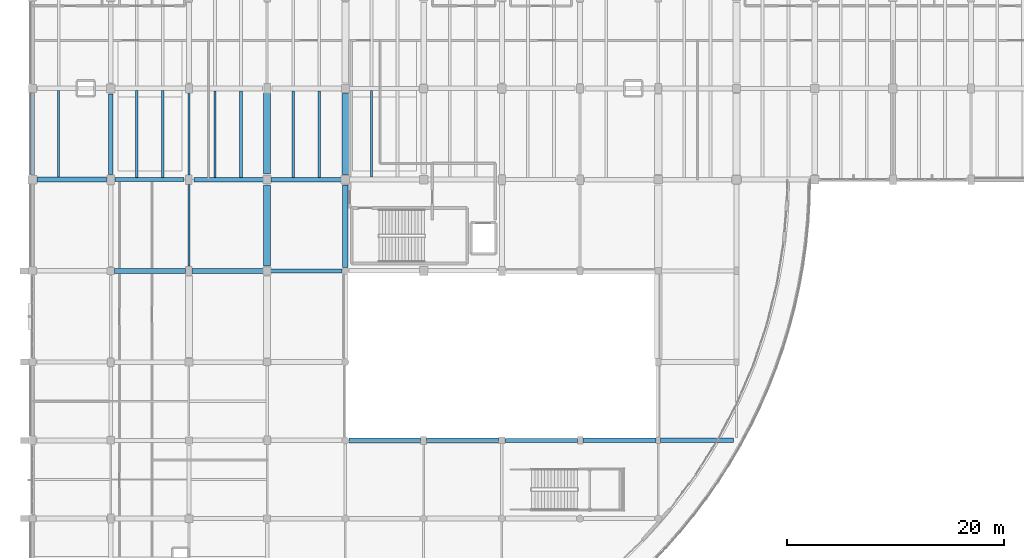
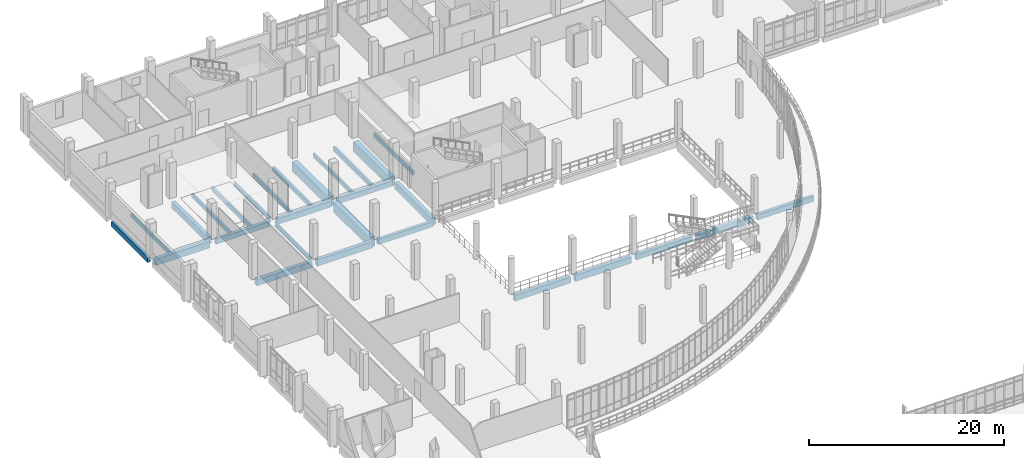
# One storey, part 60 of 124: 28 beams.
"""IFC4 building model written with IfcOpenShell, lengths in metres."""

from ifc_helpers import new_model, si_unit, direction, frame, origin, origin_2d, place, context, subcontext, project, spatial, rectangle, i_section, extrude, material, material_profile, profile_set, type_object, element, save


model = new_model("IFC4")

# Units and contexts
model_context = context("Model", 3, precision=1e-05, world=origin(), true_north=direction((0.0, 1.0)))
body_context = subcontext(model_context, "Body", "Model", "MODEL_VIEW")
ifc_project = project(units=[si_unit("LENGTHUNIT", "METRE"), si_unit("AREAUNIT", "SQUARE_METRE"), si_unit("VOLUMEUNIT", "CUBIC_METRE"), si_unit("PLANEANGLEUNIT", "RADIAN"), si_unit("MASSUNIT", "GRAM", prefix="KILO")], contexts=[model_context])

# Site, building, storey
site_placement = place(None, origin())
site = spatial("IfcSite", under=ifc_project, at=site_placement, CompositionType="ELEMENT")
building_placement = place(site_placement, origin())
building = spatial("IfcBuilding", under=site, at=building_placement, Name="Kalluvel Institute of Natural Sciences", CompositionType="ELEMENT")
storey_placement = place(building_placement, frame((0.0, 0.0, 9.89990234375)))
storey = spatial("IfcBuildingStorey", under=building, at=storey_placement, Name="L02", CompositionType="ELEMENT", Elevation=9.89990234375)

# Beams
ifc_material_1 = material(Name="Steel E350 Grade 350", Category="steel")
ifc_material_profile_1 = material_profile(ifc_material_1, i_section(OverallWidth=0.18994140625, OverallDepth=0.550048828125, WebThickness=0.01123046875, FlangeThickness=0.019287109375, FilletRadius=0.01806640625, at=origin_2d()), Name="ISMB 550")
ifc_profile_set_1 = profile_set([ifc_material_profile_1], Name="Steel E350 Grade 350")
beam_type_1 = type_object("IfcBeamType", Name="BM-ISMB550", PredefinedType="BEAM", material=ifc_profile_set_1)
beam_1_placement = place(storey_placement, frame((28.39990234375, 94.85009765625, -0.574951171875), z_axis=(0.0, 1.0, 0.0), x_axis=(-1.0, 0.0, 0.0)))
element("IfcBeam", 1, at=beam_1_placement, inside=storey, type_object=beam_type_1, Name="L02 girder GIR-L02-NS-X284-Y944", PredefinedType="BEAM", context=body_context, shape_type="SweptSolid", body=[
    extrude(i_section(OverallWidth=0.18994140625, OverallDepth=0.550048828125, WebThickness=0.01123046875, FlangeThickness=0.019287109375, FilletRadius=0.01806640625, at=origin_2d()), origin(), (0.0, 0.0, 1.0), 7.5),
])
beam_2_placement = place(storey_placement, frame((28.39990234375, 103.25, -0.594970703125), z_axis=(0.0, 1.0, 0.0), x_axis=(-1.0, 0.0, 0.0)))
element("IfcBeam", 2, at=beam_2_placement, inside=storey, type_object=beam_type_1, Name="L02 girder GIR-L02-NS-X284-Y1028", PredefinedType="BEAM", context=body_context, shape_type="SweptSolid", body=[
    extrude(i_section(OverallWidth=0.18994140625, OverallDepth=0.550048828125, WebThickness=0.01123046875, FlangeThickness=0.019287109375, FilletRadius=0.01806640625, at=origin_2d()), origin(), (0.0, 0.0, 1.0), 7.47509765625),
])
ifc_material_2 = material(Name="Concrete M40", Category="concrete")
ifc_material_profile_2 = material_profile(ifc_material_2, rectangle(XDim=0.3798828125, YDim=0.639892578125, at=origin_2d()), Name="RCB 380x640")
ifc_profile_set_2 = profile_set([ifc_material_profile_2], Name="Concrete M40")
beam_type_2 = type_object("IfcBeamType", Name="BM-RC380x640", PredefinedType="BEAM", material=ifc_profile_set_2)
beam_3_placement = place(storey_placement, frame((57.5, 78.800048828125, -0.639892578125), z_axis=(1.0, 0.0, 0.0), x_axis=(0.0, 1.0, 0.0)))
element("IfcBeam", 3, at=beam_3_placement, inside=storey, type_object=beam_type_2, Name="L02 girder GIR-L02-EW-X572-Y788", PredefinedType="BEAM", context=body_context, shape_type="SweptSolid", body=[
    extrude(rectangle(XDim=0.3798828125, YDim=0.639892578125, at=origin_2d()), origin(), (0.0, 0.0, 1.0), 6.64990234375),
])
beam_4_placement = place(storey_placement, frame((35.925048828125, 94.39990234375, -0.639892578125), z_axis=(1.0, 0.0, 0.0), x_axis=(0.0, 1.0, 0.0)))
element("IfcBeam", 4, at=beam_4_placement, inside=storey, type_object=beam_type_2, Name="L02 girder GIR-L02-EW-X356-Y944", PredefinedType="BEAM", context=body_context, shape_type="SweptSolid", body=[
    extrude(rectangle(XDim=0.3798828125, YDim=0.639892578125, at=origin_2d()), origin(), (0.0, 0.0, 1.0), 6.550048828125),
])
beam_5_placement = place(storey_placement, frame((21.574951171875, 102.800048828125, -0.639892578125), z_axis=(1.0, 0.0, 0.0), x_axis=(0.0, 1.0, 0.0)))
element("IfcBeam", 5, at=beam_5_placement, inside=storey, type_object=beam_type_2, Name="L02 girder GIR-L02-EW-X212-Y1028", PredefinedType="BEAM", context=body_context, shape_type="SweptSolid", body=[
    extrude(rectangle(XDim=0.3798828125, YDim=0.639892578125, at=origin_2d()), origin(), (0.0, 0.0, 1.0), 6.375),
])
ifc_material_profile_3 = material_profile(ifc_material_2, rectangle(XDim=0.39990234375, YDim=0.64990234375, at=origin_2d()), Name="RCB 400x650")
ifc_profile_set_3 = profile_set([ifc_material_profile_3], Name="Concrete M40")
beam_type_3 = type_object("IfcBeamType", Name="BM-RC400x650", PredefinedType="BEAM", material=ifc_profile_set_3)
beam_6_placement = place(storey_placement, frame((71.824951171875, 78.800048828125, -0.64501953125), z_axis=(1.0, 0.0, 0.0), x_axis=(0.0, 1.0, 0.0)))
element("IfcBeam", 6, at=beam_6_placement, inside=storey, type_object=beam_type_3, Name="L02 girder GIR-L02-EW-X716-Y788", PredefinedType="BEAM", context=body_context, shape_type="SweptSolid", body=[
    extrude(rectangle(XDim=0.39990234375, YDim=0.64990234375, at=origin_2d()), origin(), (0.0, 0.0, 1.0), 6.699951171875),
])
beam_7_placement = place(storey_placement, frame((35.949951171875, 102.800048828125, -0.64501953125), z_axis=(1.0, 0.0, 0.0), x_axis=(0.0, 1.0, 0.0)))
element("IfcBeam", 7, at=beam_7_placement, inside=storey, type_object=beam_type_3, Name="L02 girder GIR-L02-EW-X356-Y1028", PredefinedType="BEAM", context=body_context, shape_type="SweptSolid", body=[
    extrude(rectangle(XDim=0.39990234375, YDim=0.64990234375, at=origin_2d()), origin(), (0.0, 0.0, 1.0), 6.525146484375),
])
ifc_material_profile_4 = material_profile(ifc_material_2, rectangle(XDim=0.419921875, YDim=0.719970703125, at=origin_2d()), Name="RCB 420x720")
ifc_profile_set_4 = profile_set([ifc_material_profile_4], Name="Concrete M40")
beam_type_4 = type_object("IfcBeamType", Name="BM-RC420x720", PredefinedType="BEAM", material=ifc_profile_set_4)
beam_8_placement = place(storey_placement, frame((64.64990234375, 78.800048828125, -0.679931640625), z_axis=(1.0, 0.0, 0.0), x_axis=(0.0, 1.0, 0.0)))
element("IfcBeam", 8, at=beam_8_placement, inside=storey, type_object=beam_type_4, Name="L02 girder GIR-L02-EW-X644-Y788", PredefinedType="BEAM", context=body_context, shape_type="SweptSolid", body=[
    extrude(rectangle(XDim=0.419921875, YDim=0.719970703125, at=origin_2d()), origin(), (0.0, 0.0, 1.0), 6.72509765625),
])
beam_9_placement = place(storey_placement, frame((28.85009765625, 102.800048828125, -0.679931640625), z_axis=(1.0, 0.0, 0.0), x_axis=(0.0, 1.0, 0.0)))
element("IfcBeam", 9, at=beam_9_placement, inside=storey, type_object=beam_type_4, Name="L02 girder GIR-L02-EW-X284-Y1028", PredefinedType="BEAM", context=body_context, shape_type="SweptSolid", body=[
    extrude(rectangle(XDim=0.419921875, YDim=0.719970703125, at=origin_2d()), origin(), (0.0, 0.0, 1.0), 6.39990234375),
])
ifc_material_profile_5 = material_profile(ifc_material_2, rectangle(XDim=0.449951171875, YDim=0.75, at=origin_2d()), Name="RCB 450x750")
ifc_profile_set_5 = profile_set([ifc_material_profile_5], Name="Concrete M40")
beam_type_5 = type_object("IfcBeamType", Name="BM-RC450x750", PredefinedType="BEAM", material=ifc_profile_set_5)
beam_10_placement = place(storey_placement, frame((43.125, 78.800048828125, -0.69482421875), z_axis=(1.0, 0.0, 0.0), x_axis=(0.0, 1.0, 0.0)))
element("IfcBeam", 10, at=beam_10_placement, inside=storey, type_object=beam_type_5, Name="L02 girder GIR-L02-EW-X428-Y788", PredefinedType="BEAM", context=body_context, shape_type="SweptSolid", body=[
    extrude(rectangle(XDim=0.449951171875, YDim=0.75, at=origin_2d()), origin(), (0.0, 0.0, 1.0), 6.60009765625),
])
beam_11_placement = place(storey_placement, frame((21.52490234375, 94.39990234375, -0.6748046875), z_axis=(1.0, 0.0, 0.0), x_axis=(0.0, 1.0, 0.0)))
element("IfcBeam", 11, at=beam_11_placement, inside=storey, type_object=beam_type_5, Name="L02 girder GIR-L02-EW-X212-Y944", PredefinedType="BEAM", context=body_context, shape_type="SweptSolid", body=[
    extrude(rectangle(XDim=0.449951171875, YDim=0.75, at=origin_2d()), origin(), (0.0, 0.0, 1.0), 6.5751953125),
])
ifc_material_profile_6 = material_profile(ifc_material_2, rectangle(XDim=0.449951171875, YDim=0.800048828125, at=origin_2d()), Name="RCB 450x800")
ifc_profile_set_6 = profile_set([ifc_material_profile_6], Name="Concrete M40")
beam_type_6 = type_object("IfcBeamType", Name="BM-RC450x800", PredefinedType="BEAM", material=ifc_profile_set_6)
beam_12_placement = place(storey_placement, frame((50.27490234375, 78.800048828125, -0.719970703125), z_axis=(1.0, 0.0, 0.0), x_axis=(0.0, 1.0, 0.0)))
element("IfcBeam", 12, at=beam_12_placement, inside=storey, type_object=beam_type_6, Name="L02 girder GIR-L02-EW-X500-Y788", PredefinedType="BEAM", context=body_context, shape_type="SweptSolid", body=[
    extrude(rectangle(XDim=0.449951171875, YDim=0.800048828125, at=origin_2d()), origin(), (0.0, 0.0, 1.0), 6.625),
])
beam_13_placement = place(storey_placement, frame((28.699951171875, 94.39990234375, -0.699951171875), z_axis=(1.0, 0.0, 0.0), x_axis=(0.0, 1.0, 0.0)))
element("IfcBeam", 13, at=beam_13_placement, inside=storey, type_object=beam_type_6, Name="L02 girder GIR-L02-EW-X284-Y944", PredefinedType="BEAM", context=body_context, shape_type="SweptSolid", body=[
    extrude(rectangle(XDim=0.449951171875, YDim=0.800048828125, at=origin_2d()), origin(), (0.0, 0.0, 1.0), 6.574951171875),
])
beam_14_placement = place(storey_placement, frame((14.425048828125, 102.800048828125, -0.719970703125), z_axis=(1.0, 0.0, 0.0), x_axis=(0.0, 1.0, 0.0)))
element("IfcBeam", 14, at=beam_14_placement, inside=storey, type_object=beam_type_6, Name="L02 girder GIR-L02-EW-X140-Y1028", PredefinedType="BEAM", context=body_context, shape_type="SweptSolid", body=[
    extrude(rectangle(XDim=0.449951171875, YDim=0.800048828125, at=origin_2d()), origin(), (0.0, 0.0, 1.0), 6.39990234375),
])
beam_15_placement = place(storey_placement, frame((21.199951171875, 103.27490234375, -0.719970703125), z_axis=(0.0, 1.0, 0.0), x_axis=(-1.0, 0.0, 0.0)))
element("IfcBeam", 15, at=beam_15_placement, inside=storey, type_object=beam_type_6, Name="L02 girder GIR-L02-NS-X212-Y1028", PredefinedType="BEAM", context=body_context, shape_type="SweptSolid", body=[
    extrude(rectangle(XDim=0.449951171875, YDim=0.800048828125, at=origin_2d()), origin(), (0.0, 0.0, 1.0), 7.425048828125),
])
ifc_material_3 = material(Name="Concrete M50", Category="concrete")
ifc_material_profile_7 = material_profile(ifc_material_3, rectangle(XDim=0.5, YDim=0.85009765625, at=origin_2d()), Name="RCB 500x850")
ifc_profile_set_7 = profile_set([ifc_material_profile_7], Name="Concrete M50")
beam_type_7 = type_object("IfcBeamType", Name="BM-RC500x850", PredefinedType="BEAM", material=ifc_profile_set_7)
beam_16_placement = place(storey_placement, frame((42.800048828125, 94.72509765625, -0.744873046875), z_axis=(0.0, 1.0, 0.0), x_axis=(-1.0, 0.0, 0.0)))
element("IfcBeam", 16, at=beam_16_placement, inside=storey, type_object=beam_type_7, Name="L02 girder GIR-L02-NS-X428-Y944", PredefinedType="BEAM", context=body_context, shape_type="SweptSolid", body=[
    extrude(rectangle(XDim=0.5, YDim=0.85009765625, at=origin_2d()), origin(), (0.0, 0.0, 1.0), 7.599853515625),
])
ifc_material_profile_8 = material_profile(ifc_material_3, rectangle(XDim=0.64990234375, YDim=1.199951171875, at=origin_2d()), Name="RCB 650x1200")
ifc_profile_set_8 = profile_set([ifc_material_profile_8], Name="Concrete M50")
beam_type_8 = type_object("IfcBeamType", Name="BM-RC650x1200", PredefinedType="BEAM", material=ifc_profile_set_8)
beam_17_placement = place(storey_placement, frame((35.60009765625, 94.875, -0.89990234375), z_axis=(0.0, 1.0, 0.0), x_axis=(-1.0, 0.0, 0.0)))
element("IfcBeam", 17, at=beam_17_placement, inside=storey, type_object=beam_type_8, Name="L02 girder GIR-L02-NS-X356-Y944", PredefinedType="BEAM", context=body_context, shape_type="SweptSolid", body=[
    extrude(rectangle(XDim=0.64990234375, YDim=1.199951171875, at=origin_2d()), origin(), (0.0, 0.0, 1.0), 7.425048828125),
])
beam_18_placement = place(storey_placement, frame((35.60009765625, 103.300048828125, -0.919921875), z_axis=(0.0, 1.0, 0.0), x_axis=(-1.0, 0.0, 0.0)))
element("IfcBeam", 18, at=beam_18_placement, inside=storey, type_object=beam_type_8, Name="L02 girder GIR-L02-NS-X356-Y1028", PredefinedType="BEAM", context=body_context, shape_type="SweptSolid", body=[
    extrude(rectangle(XDim=0.64990234375, YDim=1.199951171875, at=origin_2d()), origin(), (0.0, 0.0, 1.0), 7.474853515625),
])
beam_19_placement = place(storey_placement, frame((42.800048828125, 103.27490234375, -0.919921875), z_axis=(0.0, 1.0, 0.0), x_axis=(-1.0, 0.0, 0.0)))
element("IfcBeam", 19, at=beam_19_placement, inside=storey, type_object=beam_type_8, Name="L02 girder GIR-L02-NS-X428-Y1028", PredefinedType="BEAM", context=body_context, shape_type="SweptSolid", body=[
    extrude(rectangle(XDim=0.64990234375, YDim=1.199951171875, at=origin_2d()), origin(), (0.0, 0.0, 1.0), 7.4501953125),
])
ifc_material_profile_9 = material_profile(ifc_material_2, rectangle(XDim=0.35009765625, YDim=0.60009765625, at=origin_2d()), Name="RCB 350x600")
ifc_profile_set_9 = profile_set([ifc_material_profile_9], Name="Concrete M40")
beam_type_9 = type_object("IfcBeamType", Name="SP-RC350x600", PredefinedType="SPANDREL", material=ifc_profile_set_9)
beam_20_placement = place(storey_placement, frame((14.0, 103.22509765625, -0.619873046875), z_axis=(0.0, 1.0, 0.0), x_axis=(-1.0, 0.0, 0.0)))
element("IfcBeam", 20, at=beam_20_placement, inside=storey, type_object=beam_type_9, Name="L02 girder GIR-L02-NS-X140-Y1028", PredefinedType="SPANDREL", context=body_context, shape_type="SweptSolid", body=[
    extrude(rectangle(XDim=0.35009765625, YDim=0.60009765625, at=origin_2d()), origin(), (0.0, 0.0, 1.0), 7.52490234375),
])
ifc_material_profile_10 = material_profile(ifc_material_2, rectangle(XDim=0.199951171875, YDim=0.4599609375, at=origin_2d()), Name="WAF 200x460")
ifc_profile_set_10 = profile_set([ifc_material_profile_10], Name="Concrete M40")
beam_type_10 = type_object("IfcBeamType", Name="WJ-200x460", PredefinedType="JOIST", material=ifc_profile_set_10)
beam_21_placement = place(storey_placement, frame((16.39990234375, 103.02490234375, -0.5498046875), z_axis=(0.0, 1.0, 0.0), x_axis=(-1.0, 0.0, 0.0)))
element("IfcBeam", 21, at=beam_21_placement, inside=storey, type_object=beam_type_10, Name="L02 waffle joist RIB-L02-0143", PredefinedType="JOIST", context=body_context, shape_type="SweptSolid", body=[
    extrude(rectangle(XDim=0.199951171875, YDim=0.4599609375, at=origin_2d()), origin(), (0.0, 0.0, 1.0), 7.965087890625),
])
ifc_material_profile_11 = material_profile(ifc_material_2, rectangle(XDim=0.219970703125, YDim=0.5, at=origin_2d()), Name="WAF 220x500")
ifc_profile_set_11 = profile_set([ifc_material_profile_11], Name="Concrete M40")
beam_type_11 = type_object("IfcBeamType", Name="WJ-220x500", PredefinedType="JOIST", material=ifc_profile_set_11)
beam_22_placement = place(storey_placement, frame((23.60009765625, 102.989990234375, -0.56982421875), z_axis=(0.0, 1.0, 0.0), x_axis=(-1.0, 0.0, 0.0)))
element("IfcBeam", 22, at=beam_22_placement, inside=storey, type_object=beam_type_11, Name="L02 waffle joist RIB-L02-0147", PredefinedType="JOIST", context=body_context, shape_type="SweptSolid", body=[
    extrude(rectangle(XDim=0.219970703125, YDim=0.5, at=origin_2d()), origin(), (0.0, 0.0, 1.0), 8.010009765625),
])
beam_23_placement = place(storey_placement, frame((30.800048828125, 103.010009765625, -0.56982421875), z_axis=(0.0, 1.0, 0.0), x_axis=(-1.0, 0.0, 0.0)))
element("IfcBeam", 23, at=beam_23_placement, inside=storey, type_object=beam_type_11, Name="L02 waffle joist RIB-L02-0153", PredefinedType="JOIST", context=body_context, shape_type="SweptSolid", body=[
    extrude(rectangle(XDim=0.219970703125, YDim=0.5, at=origin_2d()), origin(), (0.0, 0.0, 1.0), 7.965087890625),
])
beam_24_placement = place(storey_placement, frame((38.0, 103.0, -0.56982421875), z_axis=(0.0, 1.0, 0.0), x_axis=(-1.0, 0.0, 0.0)))
element("IfcBeam", 24, at=beam_24_placement, inside=storey, type_object=beam_type_11, Name="L02 waffle joist RIB-L02-0158", PredefinedType="JOIST", context=body_context, shape_type="SweptSolid", body=[
    extrude(rectangle(XDim=0.219970703125, YDim=0.5, at=origin_2d()), origin(), (0.0, 0.0, 1.0), 7.97509765625),
])
beam_25_placement = place(storey_placement, frame((45.199951171875, 103.02490234375, -0.56982421875), z_axis=(0.0, 1.0, 0.0), x_axis=(-1.0, 0.0, 0.0)))
element("IfcBeam", 25, at=beam_25_placement, inside=storey, type_object=beam_type_11, Name="L02 waffle joist RIB-L02-0163", PredefinedType="JOIST", context=body_context, shape_type="SweptSolid", body=[
    extrude(rectangle(XDim=0.219970703125, YDim=0.5, at=origin_2d()), origin(), (0.0, 0.0, 1.0), 7.985107421875),
])
ifc_material_profile_12 = material_profile(ifc_material_2, rectangle(XDim=0.25, YDim=0.550048828125, at=origin_2d()), Name="WAF 250x550")
ifc_profile_set_12 = profile_set([ifc_material_profile_12], Name="Concrete M40")
beam_type_12 = type_object("IfcBeamType", Name="WJ-250x550", PredefinedType="JOIST", material=ifc_profile_set_12)
beam_26_placement = place(storey_placement, frame((26.0, 102.989990234375, -0.594970703125), z_axis=(0.0, 1.0, 0.0), x_axis=(-1.0, 0.0, 0.0)))
element("IfcBeam", 26, at=beam_26_placement, inside=storey, type_object=beam_type_12, Name="L02 waffle joist RIB-L02-0148", PredefinedType="JOIST", context=body_context, shape_type="SweptSolid", body=[
    extrude(rectangle(XDim=0.25, YDim=0.550048828125, at=origin_2d()), origin(), (0.0, 0.0, 1.0), 8.010009765625),
])
beam_27_placement = place(storey_placement, frame((33.199951171875, 103.010009765625, -0.594970703125), z_axis=(0.0, 1.0, 0.0), x_axis=(-1.0, 0.0, 0.0)))
element("IfcBeam", 27, at=beam_27_placement, inside=storey, type_object=beam_type_12, Name="L02 waffle joist RIB-L02-0154", PredefinedType="JOIST", context=body_context, shape_type="SweptSolid", body=[
    extrude(rectangle(XDim=0.25, YDim=0.550048828125, at=origin_2d()), origin(), (0.0, 0.0, 1.0), 7.965087890625),
])
beam_28_placement = place(storey_placement, frame((40.39990234375, 103.0, -0.594970703125), z_axis=(0.0, 1.0, 0.0), x_axis=(-1.0, 0.0, 0.0)))
element("IfcBeam", 28, at=beam_28_placement, inside=storey, type_object=beam_type_12, Name="L02 waffle joist RIB-L02-0159", PredefinedType="JOIST", context=body_context, shape_type="SweptSolid", body=[
    extrude(rectangle(XDim=0.25, YDim=0.550048828125, at=origin_2d()), origin(), (0.0, 0.0, 1.0), 7.97509765625),
])

save(model, "model.ifc")
